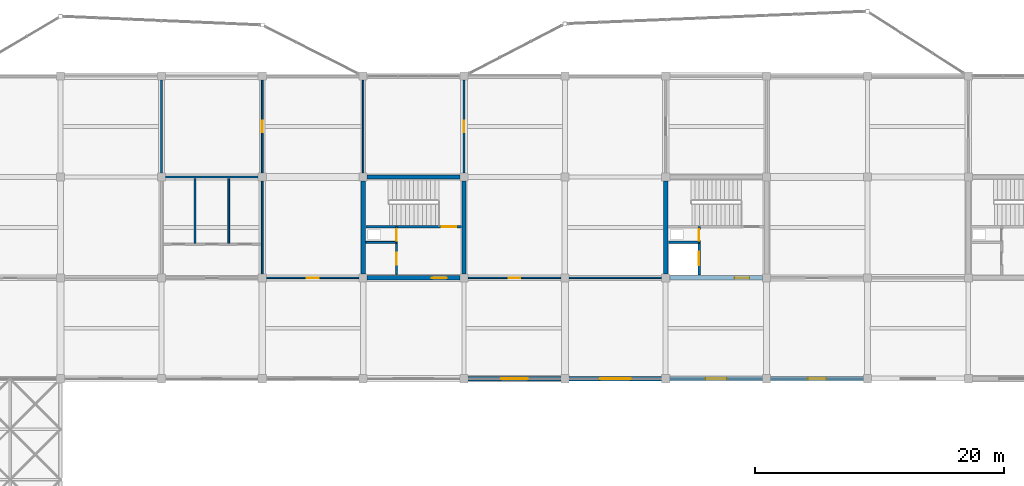
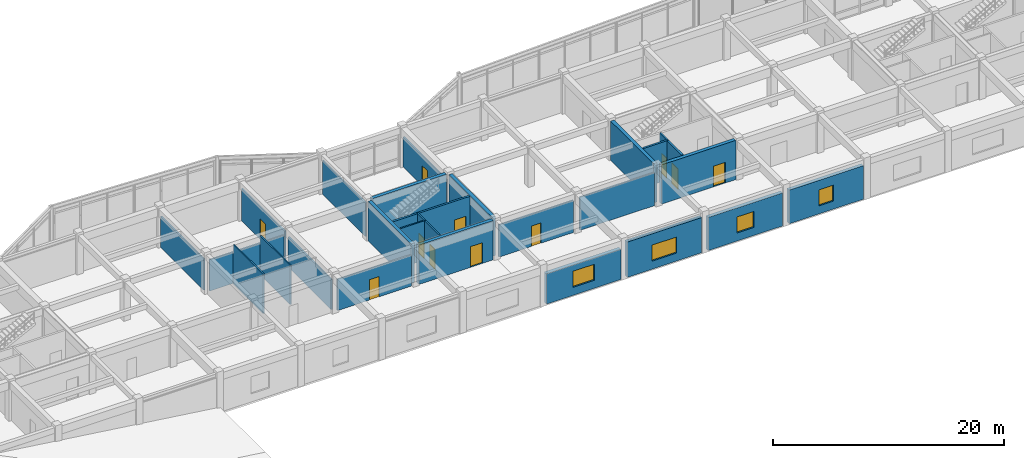
# One storey, part 48 of 70: 28 walls, 11 doors, 4 windows, 15 openings.
"""IFC4 building model written with IfcOpenShell, lengths in metres."""

import ifcopenshell
import ifcopenshell.guid

model = None  # the IFC model being written
_history = None  # IfcOwnerHistory: only IFC2X3 demands one
_inside = {}  # id of a spatial element -> (the spatial element, [elements in it])
_under = {}  # id of a project, library or spatial element -> (it, [spatial elements below it])
_declared = {}  # id of a project -> (the project, [libraries it declares])
_typed = {}  # id of a type object -> (the type object, [elements of that type])
_made_of = {}  # id of a material, layer set ... -> (it, [elements and type objects made of it])


def new_model(schema):
    """Start an empty IFC model of exactly this schema.

    Asked for "IFC4X3", IfcOpenShell would pick the latest addendum, in which some entities
    have other attributes; the version numbers below select the first issue.
    IFC2X3 requires an IfcOwnerHistory on every rooted entity: one is made here for all.
    """
    global model, _history
    if schema == "IFC4X3":
        model = ifcopenshell.file(schema_version=(4, 3, 0, 0))
    else:
        model = ifcopenshell.file(schema=schema)
    _inside.clear()
    _under.clear()
    _declared.clear()
    _typed.clear()
    _made_of.clear()
    _history = None
    if model.schema == "IFC2X3":
        org = make("IfcOrganization", Name="unknown")
        user = make(
            "IfcPersonAndOrganization",
            ThePerson=make("IfcPerson", FamilyName="unknown"),
            TheOrganization=org,
        )
        app = make(
            "IfcApplication",
            ApplicationDeveloper=org,
            Version="unknown",
            ApplicationFullName="unknown",
            ApplicationIdentifier="unknown",
        )
        _history = make(
            "IfcOwnerHistory",
            OwningUser=user,
            OwningApplication=app,
            ChangeAction="ADDED",
            CreationDate=0,
        )
    return model


def make(cls, **values):
    """One entity of the class cls with the attributes given. An attribute that is None is left unset."""
    return model.create_entity(
        cls, **{name: value for name, value in values.items() if value is not None}
    )


def rooted(cls, **values):
    """An entity with a GlobalId (a new one), such as an element, a storey or a relation."""
    return make(cls, GlobalId=ifcopenshell.guid.new(), OwnerHistory=_history, **values)


def si_unit(unit_type, name, prefix=None):
    """IfcSIUnit, for example si_unit("LENGTHUNIT", "METRE", prefix="MILLI")."""
    return make("IfcSIUnit", UnitType=unit_type, Prefix=prefix, Name=name)


def assignment(units):
    """IfcUnitAssignment: the units of a project."""
    return None if units is None else make("IfcUnitAssignment", Units=units)


def point(xyz):
    """IfcCartesianPoint."""
    return None if xyz is None else make("IfcCartesianPoint", Coordinates=xyz)


def direction(xyz):
    """IfcDirection."""
    return None if xyz is None else make("IfcDirection", DirectionRatios=xyz)


def frame(location, z_axis=None, x_axis=None):
    """IfcAxis2Placement3D, a coordinate frame: its origin and axes. An axis left out is left unset."""
    return make(
        "IfcAxis2Placement3D",
        Location=point(location),
        Axis=direction(z_axis),
        RefDirection=direction(x_axis),
    )


def frame_2d(location, x_axis=None):
    """IfcAxis2Placement2D, a coordinate frame in the plane: its origin and x axis."""
    return make(
        "IfcAxis2Placement2D", Location=point(location), RefDirection=direction(x_axis)
    )


def origin():
    """The frame at (0, 0, 0) with its axes left unset."""
    return frame((0.0, 0.0, 0.0))


def place(relative_to, where):
    """IfcLocalPlacement: puts the frame where relative to a parent placement (None: the world)."""
    return make(
        "IfcLocalPlacement", PlacementRelTo=relative_to, RelativePlacement=where
    )


def context(
    kind, dimensions, precision=None, world=None, true_north=None, identifier=None
):
    """IfcGeometricRepresentationContext, for example the 3D "Model" context."""
    return make(
        "IfcGeometricRepresentationContext",
        ContextIdentifier=identifier,
        ContextType=kind,
        CoordinateSpaceDimension=dimensions,
        Precision=precision,
        WorldCoordinateSystem=world,
        TrueNorth=true_north,
    )


def subcontext(parent, identifier, kind, view, scale=None):
    """IfcGeometricRepresentationSubContext, for example "Body" below "Model"."""
    return make(
        "IfcGeometricRepresentationSubContext",
        ContextIdentifier=identifier,
        ContextType=kind,
        ParentContext=parent,
        TargetScale=scale,
        TargetView=view,
    )


def project(units=None, contexts=None):
    """IfcProject with its units and contexts."""
    return rooted(
        "IfcProject",
        Name="project",
        RepresentationContexts=contexts,
        UnitsInContext=assignment(units),
    )


def spatial(cls, under=None, at=None, **own):
    """A site, building, storey or space (cls), placed at a placement, below another one or the project."""
    s = rooted(cls, ObjectPlacement=at, **own)
    if under is not None:
        _under.setdefault(under.id(), (under, []))[1].append(s)
    return s


def profile(cls, at=None, kind="AREA", **sizes):
    """A parametric profile (cls). Its sizes go by their IFC names, for example OverallWidth=200.0."""
    return make(cls, ProfileType=kind, Position=at, **sizes)


def rectangle(**sizes):
    """IfcRectangleProfileDef."""
    return profile("IfcRectangleProfileDef", **sizes)


def extrude(swept, where, along, depth):
    """IfcExtrudedAreaSolid: the profile swept, set in the frame where, extruded along a direction by depth."""
    return make(
        "IfcExtrudedAreaSolid",
        SweptArea=swept,
        Position=where,
        ExtrudedDirection=direction(along),
        Depth=depth,
    )


def shape(context_of_items, identifier, shape_type, items):
    """IfcShapeRepresentation: the items that make up one representation, for example the "Body"."""
    return make(
        "IfcShapeRepresentation",
        ContextOfItems=context_of_items,
        RepresentationIdentifier=identifier,
        RepresentationType=shape_type,
        Items=items,
    )


def material(Name=None, Category=None):
    """IfcMaterial."""
    return make("IfcMaterial", Name=Name, Category=Category)


def layer(
    of_material, thickness, ventilated=None, Name=None, Category=None, Priority=None
):
    """IfcMaterialLayer: one layer of a wall or slab, of a material (None: an air gap)."""
    return make(
        "IfcMaterialLayer",
        Material=of_material,
        LayerThickness=thickness,
        IsVentilated=ventilated,
        Name=Name,
        Category=Category,
        Priority=Priority,
    )


def layer_set(layers, Name=None):
    """IfcMaterialLayerSet."""
    return make("IfcMaterialLayerSet", MaterialLayers=layers, LayerSetName=Name)


def made_of(thing, what):
    """Note that an element or type object is made of a material, layer set ...; save() writes the relation."""
    if what is not None:
        _made_of.setdefault(what.id(), (what, []))[1].append(thing)
    return thing


def type_object(cls, material=None, **own):
    """A type object (cls), such as IfcWallType, which elements share."""
    return made_of(rooted(cls, **own), material)


def element(
    cls,
    number,
    at=None,
    inside=None,
    cuts=None,
    type_object=None,
    material=None,
    context=None,
    identifier="Body",
    shape_type=None,
    held_by="IfcProductDefinitionShape",
    body=None,
    shapes=None,
    **own,
):
    """One element of the class cls, such as IfcWall. Its Tag is "e" and its number.

    at: its placement. inside: the storey or other place that contains it. cuts: it is an
    opening in that element (IfcRelVoidsElement). A single representation is given by context,
    identifier, shape_type and body (its items); several are given by shapes. held_by: the class
    of the entity that holds the representations. save() writes the other relations.
    """
    e = rooted(cls, Tag="e%d" % number, ObjectPlacement=at, **own)
    if body is not None:
        shapes = [shape(context, identifier, shape_type, body)]
    if shapes is not None:
        e.Representation = make(held_by, Representations=shapes)
    if inside is not None:
        _inside.setdefault(inside.id(), (inside, []))[1].append(e)
    if cuts is not None:
        rooted(
            "IfcRelVoidsElement", RelatingBuildingElement=cuts, RelatedOpeningElement=e
        )
    if type_object is not None:
        _typed.setdefault(type_object.id(), (type_object, []))[1].append(e)
    return made_of(e, material)


def fill(opening, filler):
    """IfcRelFillsElement: the door or window that sits in an opening."""
    return rooted(
        "IfcRelFillsElement",
        RelatingOpeningElement=opening,
        RelatedBuildingElement=filler,
    )


def aggregate(whole, parts):
    """IfcRelAggregates: a whole, such as a stair, and the parts it consists of."""
    return rooted("IfcRelAggregates", RelatingObject=whole, RelatedObjects=parts)


def save(model, path):
    """Write the relations noted so far, then the file.

    IfcRelAggregates (storeys below a building ...), IfcRelContainedInSpatialStructure (elements
    in a storey), IfcRelDefinesByType, IfcRelAssociatesMaterial and IfcRelDeclares: one each for
    every whole, place, type object, material and project.
    """
    for whole, parts in _under.values():
        aggregate(whole, parts)
    for where, things in _inside.values():
        rooted(
            "IfcRelContainedInSpatialStructure",
            RelatedElements=things,
            RelatingStructure=where,
        )
    for kind, things in _typed.values():
        rooted("IfcRelDefinesByType", RelatedObjects=things, RelatingType=kind)
    for what, things in _made_of.values():
        rooted("IfcRelAssociatesMaterial", RelatedObjects=things, RelatingMaterial=what)
    for by, libraries in _declared.values():
        rooted("IfcRelDeclares", RelatingContext=by, RelatedDefinitions=libraries)
    model.write(path)


model = new_model("IFC4")

# Units and contexts
model_context = context("Model", 3, precision=1e-05, world=origin(), true_north=direction((0.0, 1.0)))
body_context = subcontext(model_context, "Body", "Model", "MODEL_VIEW")
ifc_project = project(units=[si_unit("LENGTHUNIT", "METRE"), si_unit("AREAUNIT", "SQUARE_METRE"), si_unit("VOLUMEUNIT", "CUBIC_METRE"), si_unit("PLANEANGLEUNIT", "RADIAN"), si_unit("MASSUNIT", "GRAM", prefix="KILO")], contexts=[model_context])

# Site, building, storey
site_placement = place(None, origin())
site = spatial("IfcSite", under=ifc_project, at=site_placement, CompositionType="ELEMENT")
building_placement = place(site_placement, origin())
building = spatial("IfcBuilding", under=site, at=building_placement, Name="Vaudrelin Polytechnic", CompositionType="ELEMENT")
storey_placement = place(building_placement, frame((0.0, 0.0, 14.110107421875)))
storey = spatial("IfcBuildingStorey", under=building, at=storey_placement, Name="L03", CompositionType="ELEMENT", Elevation=14.110107421875)

# Wall, opening, window
ifc_material_1 = material(Name="Precast concrete 35 MPa with standing-seam zinc rainscreen", Category="concrete")
ifc_layer_1 = layer(ifc_material_1, 0.360107421875)
ifc_layer_set_1 = layer_set([ifc_layer_1], Name="Precast concrete 35 MPa with standing-seam zinc rainscreen")
wall_type_1 = type_object("IfcWallType", Name="WAL-EW-ZINC360", PredefinedType="STANDARD", material=ifc_layer_set_1)
wall_1_placement = place(storey_placement, frame((65.123046875, 97.199951171875, 0.0), z_axis=(0.0, 0.0, 1.0), x_axis=(1.0, 0.0, 0.0)))
wall_1 = element("IfcWall", 1, at=wall_1_placement, inside=storey, type_object=wall_type_1, Name="Exterior wall L03 S_V5_08", PredefinedType="STANDARD", context=body_context, shape_type="SweptSolid", body=[
    extrude(rectangle(XDim=7.453857421875, YDim=0.360107421875, at=frame_2d((3.72705078125, 0.0))), origin(), (0.0, 0.0, 1.0), 3.2119140625),
])
opening_1_placement = place(wall_1_placement, frame((2.652099609375, 0.0, 0.85009765625)))
opening_1 = element("IfcOpeningElement", 2, at=opening_1_placement, cuts=wall_1, Name="Opening W-L03-S-V5-09", PredefinedType="OPENING", context=body_context, shape_type="SweptSolid", body=[
    extrude(rectangle(XDim=2.14990234375, YDim=1.699951171875, at=frame_2d((1.074951171875, 0.85009765625))), frame((0.0, 0.18994140625, 0.0), z_axis=(0.0, -1.0, 0.0), x_axis=(1.0, 0.0, 0.0)), (0.0, 0.0, 1.0), 0.380126953125),
])
ifc_material_2 = material(Name="Thermally broken aluminium frame with triple low-e glazing", Category="aluminium")
window_type_1 = type_object("IfcWindowType", Name="WIN-WN-37", PartitioningType="SINGLE_PANEL", PredefinedType="WINDOW", material=ifc_material_2)
window_1_placement = place(opening_1_placement, origin())
window_1 = element("IfcWindow", 3, at=window_1_placement, inside=storey, type_object=window_type_1, Name="Facade window L03-S_V5_08", OverallHeight=1.699951171875, OverallWidth=2.14990234375, PartitioningType="SINGLE_PANEL", PredefinedType="WINDOW", context=body_context, shape_type="SweptSolid", body=[
    extrude(rectangle(XDim=2.14990234375, YDim=1.699951171875, at=frame_2d((1.074951171875, 0.85009765625))), frame((0.0, 0.030029296875, 0.0), z_axis=(0.0, -1.0, 0.0), x_axis=(1.0, 0.0, 0.0)), (0.0, 0.0, 1.0), 0.06005859375),
])
fill(opening_1, window_1)

wall_2_placement = place(storey_placement, frame((73.222900390625, 97.199951171875, 0.0), z_axis=(0.0, 0.0, 1.0), x_axis=(1.0, 0.0, 0.0)))
wall_2 = element("IfcWall", 4, at=wall_2_placement, inside=storey, type_object=wall_type_1, Name="Exterior wall L03 S_V5_09", PredefinedType="STANDARD", context=body_context, shape_type="SweptSolid", body=[
    extrude(rectangle(XDim=7.4541015625, YDim=0.360107421875, at=frame_2d((3.72705078125, 0.0))), origin(), (0.0, 0.0, 1.0), 3.73681640625),
])
opening_2_placement = place(wall_2_placement, frame((2.501953125, 0.0, 0.85009765625)))
opening_2 = element("IfcOpeningElement", 5, at=opening_2_placement, cuts=wall_2, Name="Opening W-L03-S-V5-10", PredefinedType="OPENING", context=body_context, shape_type="SweptSolid", body=[
    extrude(rectangle(XDim=2.449951171875, YDim=1.699951171875, at=frame_2d((1.22509765625, 0.85009765625))), frame((0.0, 0.18994140625, 0.0), z_axis=(0.0, -1.0, 0.0), x_axis=(1.0, 0.0, 0.0)), (0.0, 0.0, 1.0), 0.380126953125),
])
window_type_2 = type_object("IfcWindowType", Name="WIN-WN-38", PartitioningType="SINGLE_PANEL", PredefinedType="WINDOW", material=ifc_material_2)
window_2_placement = place(opening_2_placement, origin())
window_2 = element("IfcWindow", 6, at=window_2_placement, inside=storey, type_object=window_type_2, Name="Facade window L03-S_V5_09", OverallHeight=1.699951171875, OverallWidth=2.449951171875, PartitioningType="SINGLE_PANEL", PredefinedType="WINDOW", context=body_context, shape_type="SweptSolid", body=[
    extrude(rectangle(XDim=2.449951171875, YDim=1.699951171875, at=frame_2d((1.22509765625, 0.85009765625))), frame((0.0, 0.030029296875, 0.0), z_axis=(0.0, -1.0, 0.0), x_axis=(1.0, 0.0, 0.0)), (0.0, 0.0, 1.0), 0.06005859375),
])
fill(opening_2, window_2)

wall_3_placement = place(storey_placement, frame((81.322998046875, 97.199951171875, 0.0), z_axis=(0.0, 0.0, 1.0), x_axis=(1.0, 0.0, 0.0)))
wall_3 = element("IfcWall", 7, at=wall_3_placement, inside=storey, type_object=wall_type_1, Name="Exterior wall L03 S_V5_10", PredefinedType="STANDARD", context=body_context, shape_type="SweptSolid", body=[
    extrude(rectangle(XDim=7.4541015625, YDim=0.360107421875, at=frame_2d((3.72705078125, 0.0))), origin(), (0.0, 0.0, 1.0), 3.501953125),
])
opening_3_placement = place(wall_3_placement, frame((2.876953125, 0.0, 0.85009765625)))
opening_3 = element("IfcOpeningElement", 8, at=opening_3_placement, cuts=wall_3, Name="Opening W-L03-S-V5-11", PredefinedType="OPENING", context=body_context, shape_type="SweptSolid", body=[
    extrude(rectangle(XDim=1.699951171875, YDim=1.699951171875, at=frame_2d((0.85009765625, 0.85009765625))), frame((0.0, 0.18994140625, 0.0), z_axis=(0.0, -1.0, 0.0), x_axis=(1.0, 0.0, 0.0)), (0.0, 0.0, 1.0), 0.380126953125),
])
window_type_3 = type_object("IfcWindowType", Name="WIN-WN-39", PartitioningType="SINGLE_PANEL", PredefinedType="WINDOW", material=ifc_material_2)
window_3_placement = place(opening_3_placement, origin())
window_3 = element("IfcWindow", 9, at=window_3_placement, inside=storey, type_object=window_type_3, Name="Facade window L03-S_V5_10", OverallHeight=1.699951171875, OverallWidth=1.699951171875, PartitioningType="SINGLE_PANEL", PredefinedType="WINDOW", context=body_context, shape_type="SweptSolid", body=[
    extrude(rectangle(XDim=1.699951171875, YDim=1.699951171875, at=frame_2d((0.85009765625, 0.85009765625))), frame((0.0, 0.030029296875, 0.0), z_axis=(0.0, -1.0, 0.0), x_axis=(1.0, 0.0, 0.0)), (0.0, 0.0, 1.0), 0.06005859375),
])
fill(opening_3, window_3)

wall_4_placement = place(storey_placement, frame((89.423095703125, 97.199951171875, 0.0), z_axis=(0.0, 0.0, 1.0), x_axis=(1.0, 0.0, 0.0)))
wall_4 = element("IfcWall", 10, at=wall_4_placement, inside=storey, type_object=wall_type_1, Name="Exterior wall L03 S_V5_11", PredefinedType="STANDARD", context=body_context, shape_type="SweptSolid", body=[
    extrude(rectangle(XDim=7.453857421875, YDim=0.360107421875, at=frame_2d((3.72705078125, 0.0))), origin(), (0.0, 0.0, 1.0), 3.552001953125),
])
opening_4_placement = place(wall_4_placement, frame((3.001953125, 0.0, 0.85009765625)))
opening_4 = element("IfcOpeningElement", 11, at=opening_4_placement, cuts=wall_4, Name="Opening W-L03-S-V5-12", PredefinedType="OPENING", context=body_context, shape_type="SweptSolid", body=[
    extrude(rectangle(XDim=1.449951171875, YDim=1.699951171875, at=frame_2d((0.72509765625, 0.85009765625))), frame((0.0, 0.18994140625, 0.0), z_axis=(0.0, -1.0, 0.0), x_axis=(1.0, 0.0, 0.0)), (0.0, 0.0, 1.0), 0.380126953125),
])
window_type_4 = type_object("IfcWindowType", Name="WIN-WN-40", PartitioningType="SINGLE_PANEL", PredefinedType="WINDOW", material=ifc_material_2)
window_4_placement = place(opening_4_placement, origin())
window_4 = element("IfcWindow", 12, at=window_4_placement, inside=storey, type_object=window_type_4, Name="Facade window L03-S_V5_11", OverallHeight=1.699951171875, OverallWidth=1.449951171875, PartitioningType="SINGLE_PANEL", PredefinedType="WINDOW", context=body_context, shape_type="SweptSolid", body=[
    extrude(rectangle(XDim=1.449951171875, YDim=1.699951171875, at=frame_2d((0.72509765625, 0.85009765625))), frame((0.0, 0.030029296875, 0.0), z_axis=(0.0, -1.0, 0.0), x_axis=(1.0, 0.0, 0.0)), (0.0, 0.0, 1.0), 0.06005859375),
])
fill(opening_4, window_4)

# Wall, opening, door
ifc_material_3 = material(Name="Fire-rated steel-stud gypsum compartment wall", Category="steel")
ifc_layer_2 = layer(ifc_material_3, 0.14990234375)
ifc_layer_set_2 = layer_set([ifc_layer_2], Name="Fire-rated steel-stud gypsum compartment wall")
wall_type_2 = type_object("IfcWallType", Name="WAL-PW-FIRE60", PredefinedType="PARTITIONING", material=ifc_layer_set_2)
wall_5_placement = place(storey_placement, frame((83.679931640625, 108.14990234375, 0.0), z_axis=(0.0, 0.0, 1.0), x_axis=(0.0, 1.0, 0.0)))
wall_5 = element("IfcWall", 13, at=wall_5_placement, inside=storey, type_object=wall_type_2, Name="Core C2 riser enclosure wall L03", PredefinedType="PARTITIONING", context=body_context, shape_type="SweptSolid", body=[
    extrude(rectangle(XDim=1.260009765625, YDim=0.14990234375, at=frame_2d((0.6298828125, 0.0))), origin(), (0.0, 0.0, 1.0), 4.15185546875),
])
opening_5_placement = place(wall_5_placement, frame((0.139892578125, 0.0, 0.0)))
opening_5 = element("IfcOpeningElement", 14, at=opening_5_placement, cuts=wall_5, Name="Opening D-L03-038", PredefinedType="OPENING", context=body_context, shape_type="SweptSolid", body=[
    extrude(rectangle(XDim=0.89990234375, YDim=2.14990234375, at=frame_2d((0.449951171875, 1.074951171875))), frame((0.0, 0.0849609375, 0.0), z_axis=(0.0, -1.0, 0.0), x_axis=(1.0, 0.0, 0.0)), (0.0, 0.0, 1.0), 0.169921875),
])
ifc_material_4 = material(Name="Pressed galvanised steel acoustic leaf", Category="steel")
door_type_1 = type_object("IfcDoorType", Name="DOR-ID-RSR1", OperationType="NOTDEFINED", PredefinedType="DOOR", material=ifc_material_4)
door_1_placement = place(opening_5_placement, origin())
door_1 = element("IfcDoor", 15, at=door_1_placement, inside=storey, type_object=door_type_1, Name="Core C2 riser access door L03", OperationType="SINGLE_SWING_RIGHT", OverallHeight=2.14990234375, OverallWidth=0.89990234375, PredefinedType="DOOR", context=body_context, shape_type="SweptSolid", body=[
    extrude(rectangle(XDim=0.89990234375, YDim=2.14990234375, at=frame_2d((0.449951171875, 1.074951171875))), frame((0.0, 0.02490234375, 0.0), z_axis=(0.0, -1.0, 0.0), x_axis=(1.0, 0.0, 0.0)), (0.0, 0.0, 1.0), 0.050048828125),
])
fill(opening_5, door_1)

wall_6_placement = place(storey_placement, frame((59.3798828125, 108.14990234375, 0.0), z_axis=(0.0, 0.0, 1.0), x_axis=(0.0, 1.0, 0.0)))
wall_6 = element("IfcWall", 16, at=wall_6_placement, inside=storey, type_object=wall_type_2, Name="Core C9 riser enclosure wall L03", PredefinedType="PARTITIONING", context=body_context, shape_type="SweptSolid", body=[
    extrude(rectangle(XDim=1.260009765625, YDim=0.14990234375, at=frame_2d((0.6298828125, 0.0))), origin(), (0.0, 0.0, 1.0), 4.161865234375),
])
opening_6_placement = place(wall_6_placement, frame((0.139892578125, 0.0, 0.0)))
opening_6 = element("IfcOpeningElement", 17, at=opening_6_placement, cuts=wall_6, Name="Opening D-L03-193", PredefinedType="OPENING", context=body_context, shape_type="SweptSolid", body=[
    extrude(rectangle(XDim=0.89990234375, YDim=2.14990234375, at=frame_2d((0.449951171875, 1.074951171875))), frame((0.0, 0.0849609375, 0.0), z_axis=(0.0, -1.0, 0.0), x_axis=(1.0, 0.0, 0.0)), (0.0, 0.0, 1.0), 0.169921875),
])
door_2_placement = place(opening_6_placement, origin())
door_2 = element("IfcDoor", 18, at=door_2_placement, inside=storey, type_object=door_type_1, Name="Core C9 riser access door L03", OperationType="SINGLE_SWING_RIGHT", OverallHeight=2.14990234375, OverallWidth=0.89990234375, PredefinedType="DOOR", context=body_context, shape_type="SweptSolid", body=[
    extrude(rectangle(XDim=0.89990234375, YDim=2.14990234375, at=frame_2d((0.449951171875, 1.074951171875))), frame((0.0, 0.02490234375, 0.0), z_axis=(0.0, -1.0, 0.0), x_axis=(1.0, 0.0, 0.0)), (0.0, 0.0, 1.0), 0.050048828125),
])
fill(opening_6, door_2)

# Wall
wall_7_placement = place(storey_placement, frame((56.919921875, 108.14990234375, 0.0), z_axis=(0.0, 0.0, 1.0), x_axis=(1.0, 0.0, 0.0)))
element("IfcWall", 19, at=wall_7_placement, inside=storey, type_object=wall_type_2, Name="Core C9 riser south fire wall L03", PredefinedType="PARTITIONING", context=body_context, shape_type="SweptSolid", body=[
    extrude(rectangle(XDim=2.530029296875, YDim=0.14990234375, at=frame_2d((1.26513671875, 0.0))), origin(), (0.0, 0.0, 1.0), 4.161865234375),
])

# Wall, opening, door
wall_8_placement = place(storey_placement, frame((59.3798828125, 105.550048828125, 0.0), z_axis=(0.0, 0.0, 1.0), x_axis=(0.0, 1.0, 0.0)))
wall_8 = element("IfcWall", 20, at=wall_8_placement, inside=storey, type_object=wall_type_2, Name="Core C9 custodial enclosure wall L03", PredefinedType="PARTITIONING", context=body_context, shape_type="SweptSolid", body=[
    extrude(rectangle(XDim=2.599853515625, YDim=0.14990234375, at=frame_2d((1.2998046875, 0.0))), origin(), (0.0, 0.0, 1.0), 4.161865234375),
])
opening_7_placement = place(wall_8_placement, frame((0.800048828125, 0.0, 0.0)))
opening_7 = element("IfcOpeningElement", 21, at=opening_7_placement, cuts=wall_8, Name="Opening D-L03-194", PredefinedType="OPENING", context=body_context, shape_type="SweptSolid", body=[
    extrude(rectangle(XDim=0.949951171875, YDim=2.14990234375, at=frame_2d((0.47509765625, 1.074951171875))), frame((0.0, 0.0849609375, 0.0), z_axis=(0.0, -1.0, 0.0), x_axis=(1.0, 0.0, 0.0)), (0.0, 0.0, 1.0), 0.169921875),
])
door_type_2 = type_object("IfcDoorType", Name="DOR-ID-STR1", OperationType="NOTDEFINED", PredefinedType="DOOR", material=ifc_material_4)
door_3_placement = place(opening_7_placement, origin())
door_3 = element("IfcDoor", 22, at=door_3_placement, inside=storey, type_object=door_type_2, Name="Core C9 custodial door L03", OperationType="SINGLE_SWING_RIGHT", OverallHeight=2.14990234375, OverallWidth=0.949951171875, PredefinedType="DOOR", context=body_context, shape_type="SweptSolid", body=[
    extrude(rectangle(XDim=0.949951171875, YDim=2.14990234375, at=frame_2d((0.47509765625, 1.074951171875))), frame((0.0, 0.02490234375, 0.0), z_axis=(0.0, -1.0, 0.0), x_axis=(1.0, 0.0, 0.0)), (0.0, 0.0, 1.0), 0.050048828125),
])
fill(opening_7, door_3)

# Wall
ifc_material_5 = material(Name="Acoustic steel-stud office & study room partition", Category="steel")
ifc_layer_3 = layer(ifc_material_5, 0.135009765625)
ifc_layer_set_3 = layer_set([ifc_layer_3], Name="Acoustic steel-stud office & study room partition")
wall_type_3 = type_object("IfcWallType", Name="WAL-PW-OFF135", PredefinedType="PARTITIONING", material=ifc_layer_set_3)
wall_9_placement = place(storey_placement, frame((40.5, 113.722900390625, 0.0), z_axis=(0.0, 0.0, 1.0), x_axis=(0.0, 1.0, 0.0)))
element("IfcWall", 23, at=wall_9_placement, inside=storey, type_object=wall_type_3, Name="Partition L03-002 E", PredefinedType="PARTITIONING", context=body_context, shape_type="SweptSolid", body=[
    extrude(rectangle(XDim=7.4541015625, YDim=0.135009765625, at=frame_2d((3.72705078125, 0.0))), origin(), (0.0, 0.0, 1.0), 3.31201171875),
])

# Wall, opening, door
wall_10_placement = place(storey_placement, frame((48.923095703125, 105.300048828125, 0.0), z_axis=(0.0, 0.0, 1.0), x_axis=(1.0, 0.0, 0.0)))
wall_10 = element("IfcWall", 24, at=wall_10_placement, inside=storey, type_object=wall_type_3, Name="Partition L03-003 S", PredefinedType="PARTITIONING", context=body_context, shape_type="SweptSolid", body=[
    extrude(rectangle(XDim=7.453857421875, YDim=0.135009765625, at=frame_2d((3.72705078125, 0.0))), origin(), (0.0, 0.0, 1.0), 3.31201171875),
])
opening_8_placement = place(wall_10_placement, frame((3.251953125, 0.0, 0.0)))
opening_8 = element("IfcOpeningElement", 25, at=opening_8_placement, cuts=wall_10, Name="Opening D-L03-497", PredefinedType="OPENING", context=body_context, shape_type="SweptSolid", body=[
    extrude(rectangle(XDim=0.949951171875, YDim=2.14990234375, at=frame_2d((0.47509765625, 1.074951171875))), frame((0.0, 0.07763671875, 0.0), z_axis=(0.0, -1.0, 0.0), x_axis=(1.0, 0.0, 0.0)), (0.0, 0.0, 1.0), 0.155029296875),
])
ifc_material_6 = material(Name="Solid-core birch veneer acoustic leaf", Category="wood")
door_type_3 = type_object("IfcDoorType", Name="DOR-ID-OFF1", OperationType="NOTDEFINED", PredefinedType="DOOR", material=ifc_material_6)
door_4_placement = place(opening_8_placement, origin())
door_4 = element("IfcDoor", 26, at=door_4_placement, inside=storey, type_object=door_type_3, Name="Engineering Standards Reading Alcove door L03-003", OperationType="SINGLE_SWING_LEFT", OverallHeight=2.14990234375, OverallWidth=0.949951171875, PredefinedType="DOOR", context=body_context, shape_type="SweptSolid", body=[
    extrude(rectangle(XDim=0.949951171875, YDim=2.14990234375, at=frame_2d((0.47509765625, 1.074951171875))), frame((0.0, 0.02490234375, 0.0), z_axis=(0.0, -1.0, 0.0), x_axis=(1.0, 0.0, 0.0)), (0.0, 0.0, 1.0), 0.050048828125),
])
fill(opening_8, door_4)

# Wall
wall_11_placement = place(storey_placement, frame((56.699951171875, 113.722900390625, 0.0), z_axis=(0.0, 0.0, 1.0), x_axis=(0.0, 1.0, 0.0)))
element("IfcWall", 27, at=wall_11_placement, inside=storey, type_object=wall_type_3, Name="Partition L03-003 E", PredefinedType="PARTITIONING", context=body_context, shape_type="SweptSolid", body=[
    extrude(rectangle(XDim=7.4541015625, YDim=0.135009765625, at=frame_2d((3.72705078125, 0.0))), origin(), (0.0, 0.0, 1.0), 3.56201171875),
])

# Wall, opening, door
wall_12_placement = place(storey_placement, frame((48.60009765625, 113.722900390625, 0.0), z_axis=(0.0, 0.0, 1.0), x_axis=(0.0, 1.0, 0.0)))
wall_12 = element("IfcWall", 28, at=wall_12_placement, inside=storey, type_object=wall_type_3, Name="Partition L03-003 W", PredefinedType="PARTITIONING", context=body_context, shape_type="SweptSolid", body=[
    extrude(rectangle(XDim=7.4541015625, YDim=0.135009765625, at=frame_2d((3.72705078125, 0.0))), origin(), (0.0, 0.0, 1.0), 3.411865234375),
])
opening_9_placement = place(wall_12_placement, frame((3.251953125, 0.0, 0.0)))
opening_9 = element("IfcOpeningElement", 29, at=opening_9_placement, cuts=wall_12, Name="Opening D-L03-512", PredefinedType="OPENING", context=body_context, shape_type="SweptSolid", body=[
    extrude(rectangle(XDim=0.949951171875, YDim=2.14990234375, at=frame_2d((0.47509765625, 1.074951171875))), frame((0.0, 0.07763671875, 0.0), z_axis=(0.0, -1.0, 0.0), x_axis=(1.0, 0.0, 0.0)), (0.0, 0.0, 1.0), 0.155029296875),
])
door_5_placement = place(opening_9_placement, origin())
door_5 = element("IfcDoor", 30, at=door_5_placement, inside=storey, type_object=door_type_3, Name="Standards Reference Study Room door L03-020", OperationType="SINGLE_SWING_RIGHT", OverallHeight=2.14990234375, OverallWidth=0.949951171875, PredefinedType="DOOR", context=body_context, shape_type="SweptSolid", body=[
    extrude(rectangle(XDim=0.949951171875, YDim=2.14990234375, at=frame_2d((0.47509765625, 1.074951171875))), frame((0.0, 0.02490234375, 0.0), z_axis=(0.0, -1.0, 0.0), x_axis=(1.0, 0.0, 0.0)), (0.0, 0.0, 1.0), 0.050048828125),
])
fill(opening_9, door_5)

wall_13_placement = place(storey_placement, frame((65.123046875, 105.300048828125, 0.0), z_axis=(0.0, 0.0, 1.0), x_axis=(1.0, 0.0, 0.0)))
wall_13 = element("IfcWall", 31, at=wall_13_placement, inside=storey, type_object=wall_type_3, Name="Partition L03-004 S", PredefinedType="PARTITIONING", context=body_context, shape_type="SweptSolid", body=[
    extrude(rectangle(XDim=7.453857421875, YDim=0.135009765625, at=frame_2d((3.72705078125, 0.0))), origin(), (0.0, 0.0, 1.0), 3.411865234375),
])
opening_10_placement = place(wall_13_placement, frame((3.251953125, 0.0, 0.0)))
opening_10 = element("IfcOpeningElement", 32, at=opening_10_placement, cuts=wall_13, Name="Opening D-L03-498", PredefinedType="OPENING", context=body_context, shape_type="SweptSolid", body=[
    extrude(rectangle(XDim=0.949951171875, YDim=2.14990234375, at=frame_2d((0.47509765625, 1.074951171875))), frame((0.0, 0.07763671875, 0.0), z_axis=(0.0, -1.0, 0.0), x_axis=(1.0, 0.0, 0.0)), (0.0, 0.0, 1.0), 0.155029296875),
])
door_6_placement = place(opening_10_placement, origin())
door_6 = element("IfcDoor", 33, at=door_6_placement, inside=storey, type_object=door_type_3, Name="Collaborative Learning Commons door L03-004", OperationType="SINGLE_SWING_RIGHT", OverallHeight=2.14990234375, OverallWidth=0.949951171875, PredefinedType="DOOR", context=body_context, shape_type="SweptSolid", body=[
    extrude(rectangle(XDim=0.949951171875, YDim=2.14990234375, at=frame_2d((0.47509765625, 1.074951171875))), frame((0.0, 0.02490234375, 0.0), z_axis=(0.0, -1.0, 0.0), x_axis=(1.0, 0.0, 0.0)), (0.0, 0.0, 1.0), 0.050048828125),
])
fill(opening_10, door_6)

# Wall
wall_14_placement = place(storey_placement, frame((73.222900390625, 105.300048828125, 0.0), z_axis=(0.0, 0.0, 1.0), x_axis=(1.0, 0.0, 0.0)))
element("IfcWall", 34, at=wall_14_placement, inside=storey, type_object=wall_type_3, Name="Partition L03-004 S", PredefinedType="PARTITIONING", context=body_context, shape_type="SweptSolid", body=[
    extrude(rectangle(XDim=7.4541015625, YDim=0.135009765625, at=frame_2d((3.72705078125, 0.0))), origin(), (0.0, 0.0, 1.0), 3.501953125),
])

# Wall, opening, door
wall_15_placement = place(storey_placement, frame((64.800048828125, 113.722900390625, 0.0), z_axis=(0.0, 0.0, 1.0), x_axis=(0.0, 1.0, 0.0)))
wall_15 = element("IfcWall", 35, at=wall_15_placement, inside=storey, type_object=wall_type_3, Name="Partition L03-004 W", PredefinedType="PARTITIONING", context=body_context, shape_type="SweptSolid", body=[
    extrude(rectangle(XDim=7.4541015625, YDim=0.135009765625, at=frame_2d((3.72705078125, 0.0))), origin(), (0.0, 0.0, 1.0), 3.2119140625),
])
opening_11_placement = place(wall_15_placement, frame((3.251953125, 0.0, 0.0)))
opening_11 = element("IfcOpeningElement", 36, at=opening_11_placement, cuts=wall_15, Name="Opening D-L03-513", PredefinedType="OPENING", context=body_context, shape_type="SweptSolid", body=[
    extrude(rectangle(XDim=0.949951171875, YDim=2.14990234375, at=frame_2d((0.47509765625, 1.074951171875))), frame((0.0, 0.07763671875, 0.0), z_axis=(0.0, -1.0, 0.0), x_axis=(1.0, 0.0, 0.0)), (0.0, 0.0, 1.0), 0.155029296875),
])
door_7_placement = place(opening_11_placement, origin())
door_7 = element("IfcDoor", 37, at=door_7_placement, inside=storey, type_object=door_type_3, Name="Collaborative Media Booth Room door L03-021", OperationType="SINGLE_SWING_LEFT", OverallHeight=2.14990234375, OverallWidth=0.949951171875, PredefinedType="DOOR", context=body_context, shape_type="SweptSolid", body=[
    extrude(rectangle(XDim=0.949951171875, YDim=2.14990234375, at=frame_2d((0.47509765625, 1.074951171875))), frame((0.0, 0.02490234375, 0.0), z_axis=(0.0, -1.0, 0.0), x_axis=(1.0, 0.0, 0.0)), (0.0, 0.0, 1.0), 0.050048828125),
])
fill(opening_11, door_7)

# Walls
ifc_material_7 = material(Name="Cement-board tiled wet-wall washroom partition", Category="gypsum")
ifc_layer_4 = layer(ifc_material_7, 0.139892578125)
ifc_layer_set_4 = layer_set([ifc_layer_4], Name="Cement-board tiled wet-wall washroom partition")
wall_type_4 = type_object("IfcWallType", Name="WAL-PW-WC140", PredefinedType="PARTITIONING", material=ifc_layer_set_4)
wall_16_placement = place(storey_placement, frame((40.822998046875, 113.39990234375, 0.0), z_axis=(0.0, 0.0, 1.0), x_axis=(1.0, 0.0, 0.0)))
element("IfcWall", 38, at=wall_16_placement, inside=storey, type_object=wall_type_4, Name="Washroom enclosure wall L03-5-13-N", PredefinedType="PARTITIONING", context=body_context, shape_type="SweptSolid", body=[
    extrude(rectangle(XDim=7.4541015625, YDim=0.139892578125, at=frame_2d((3.72705078125, 0.0))), origin(), (0.0, 0.0, 1.0), 3.309814453125),
])
wall_17_placement = place(storey_placement, frame((48.60009765625, 105.623046875, 0.0), z_axis=(0.0, 0.0, 1.0), x_axis=(0.0, 1.0, 0.0)))
element("IfcWall", 39, at=wall_17_placement, inside=storey, type_object=wall_type_4, Name="Washroom enclosure wall L03-5-13-E", PredefinedType="PARTITIONING", context=body_context, shape_type="SweptSolid", body=[
    extrude(rectangle(XDim=7.453857421875, YDim=0.139892578125, at=frame_2d((3.72705078125, 0.0))), origin(), (0.0, 0.0, 1.0), 3.2099609375),
])
for number, where, z_axis, x_axis, name in (
    (40, (43.199951171875, 108.070068359375, 0.0), (0.0, 0.0, 1.0), (0.0, 1.0, 0.0), "Washroom separation wall L03-5-13-1"),
    (41, (45.89990234375, 108.070068359375, 0.0), (0.0, 0.0, 1.0), (0.0, 1.0, 0.0), "Washroom separation wall L03-5-13-2"),
):
    element("IfcWall", number, at=place(storey_placement, frame(where, z_axis=z_axis, x_axis=x_axis)), inside=storey, type_object=wall_type_4, Name=name, PredefinedType="PARTITIONING", context=body_context, shape_type="SweptSolid", body=[
        extrude(rectangle(XDim=5.179931640625, YDim=0.139892578125, at=frame_2d((2.58984375, 0.0))), origin(), (0.0, 0.0, 1.0), 4.161865234375),
    ])

# Wall, opening, door
ifc_material_8 = material(Name="Concrete 40 MPa", Category="concrete")
ifc_layer_5 = layer(ifc_material_8, 0.199951171875)
ifc_layer_set_5 = layer_set([ifc_layer_5], Name="Concrete 40 MPa")
wall_type_5 = type_object("IfcWallType", Name="WAL-SW-CORE200", PredefinedType="SHEAR", material=ifc_layer_set_5)
wall_18_placement = place(storey_placement, frame((83.679931640625, 105.550048828125, 0.0), z_axis=(0.0, 0.0, 1.0), x_axis=(0.0, 1.0, 0.0)))
wall_18 = element("IfcWall", 42, at=wall_18_placement, inside=storey, type_object=wall_type_5, Name="Lift LF-02 shaft front wall L03", PredefinedType="SHEAR", context=body_context, shape_type="SweptSolid", body=[
    extrude(rectangle(XDim=2.599853515625, YDim=0.199951171875, at=frame_2d((1.2998046875, 0.0))), origin(), (0.0, 0.0, 1.0), 4.15185546875),
])
opening_12_placement = place(wall_18_placement, frame((0.75, 0.0, 0.0)))
opening_12 = element("IfcOpeningElement", 43, at=opening_12_placement, cuts=wall_18, Name="Opening LD-LF-02-L03", PredefinedType="OPENING", context=body_context, shape_type="SweptSolid", body=[
    extrude(rectangle(XDim=1.10009765625, YDim=2.199951171875, at=frame_2d((0.550048828125, 1.10009765625))), frame((0.0, 0.10986328125, 0.0), z_axis=(0.0, -1.0, 0.0), x_axis=(1.0, 0.0, 0.0)), (0.0, 0.0, 1.0), 0.219970703125),
])
ifc_material_9 = material(Name="Brushed stainless steel AISI 304", Category="steel")
door_type_4 = type_object("IfcDoorType", Name="DOR-LD-PAX", OperationType="SLIDING_TO_LEFT", PredefinedType="DOOR", material=ifc_material_9)
door_8_placement = place(opening_12_placement, origin())
door_8 = element("IfcDoor", 44, at=door_8_placement, inside=storey, type_object=door_type_4, Name="Lift LF-02 landing door L03", OperationType="SLIDING_TO_LEFT", OverallHeight=2.199951171875, OverallWidth=1.10009765625, PredefinedType="DOOR", context=body_context, shape_type="SweptSolid", body=[
    extrude(rectangle(XDim=1.10009765625, YDim=2.199951171875, at=frame_2d((0.550048828125, 1.10009765625))), frame((0.0, 0.02490234375, 0.0), z_axis=(0.0, -1.0, 0.0), x_axis=(1.0, 0.0, 0.0)), (0.0, 0.0, 1.0), 0.050048828125),
])
fill(opening_12, door_8)

# Wall
wall_19_placement = place(storey_placement, frame((81.219970703125, 108.14990234375, 0.0), z_axis=(0.0, 0.0, 1.0), x_axis=(1.0, 0.0, 0.0)))
element("IfcWall", 45, at=wall_19_placement, inside=storey, type_object=wall_type_5, Name="Lift LF-02 shaft north wall L03", PredefinedType="SHEAR", context=body_context, shape_type="SweptSolid", body=[
    extrude(rectangle(XDim=2.56005859375, YDim=0.199951171875, at=frame_2d((1.280029296875, 0.0))), origin(), (0.0, 0.0, 1.0), 4.15185546875),
])

# Wall, opening, door
wall_20_placement = place(storey_placement, frame((56.919921875, 109.409912109375, 0.0), z_axis=(0.0, 0.0, 1.0), x_axis=(1.0, 0.0, 0.0)))
wall_20 = element("IfcWall", 46, at=wall_20_placement, inside=storey, type_object=wall_type_5, Name="Core C9 stair enclosure wall L03", PredefinedType="SHEAR", context=body_context, shape_type="SweptSolid", body=[
    extrude(rectangle(XDim=7.66015625, YDim=0.199951171875, at=frame_2d((3.830078125, 0.0))), origin(), (0.0, 0.0, 1.0), 4.161865234375),
])
opening_13_placement = place(wall_20_placement, frame((6.110107421875, 0.0, 0.0)))
opening_13 = element("IfcOpeningElement", 47, at=opening_13_placement, cuts=wall_20, Name="Opening D-L03-192", PredefinedType="OPENING", context=body_context, shape_type="SweptSolid", body=[
    extrude(rectangle(XDim=1.14990234375, YDim=2.199951171875, at=frame_2d((0.574951171875, 1.10009765625))), frame((0.0, 0.10986328125, 0.0), z_axis=(0.0, -1.0, 0.0), x_axis=(1.0, 0.0, 0.0)), (0.0, 0.0, 1.0), 0.219970703125),
])
door_type_5 = type_object("IfcDoorType", Name="DOR-ID-ST1", OperationType="NOTDEFINED", PredefinedType="DOOR", material=ifc_material_4)
door_9_placement = place(opening_13_placement, origin())
door_9 = element("IfcDoor", 48, at=door_9_placement, inside=storey, type_object=door_type_5, Name="Core C9 exit stair door L03", OperationType="SINGLE_SWING_LEFT", OverallHeight=2.199951171875, OverallWidth=1.14990234375, PredefinedType="DOOR", context=body_context, shape_type="SweptSolid", body=[
    extrude(rectangle(XDim=1.14990234375, YDim=2.199951171875, at=frame_2d((0.574951171875, 1.10009765625))), frame((0.0, 0.02490234375, 0.0), z_axis=(0.0, -1.0, 0.0), x_axis=(1.0, 0.0, 0.0)), (0.0, 0.0, 1.0), 0.050048828125),
])
fill(opening_13, door_9)

# Wall
ifc_material_10 = material(Name="Concrete 50 MPa", Category="concrete")
ifc_layer_6 = layer(ifc_material_10, 0.35009765625)
ifc_layer_set_6 = layer_set([ifc_layer_6], Name="Concrete 50 MPa")
wall_type_6 = type_object("IfcWallType", Name="WAL-SW-CORE350", PredefinedType="SHEAR", material=ifc_layer_set_6)
wall_21_placement = place(storey_placement, frame((81.0, 105.623046875, 0.0), z_axis=(0.0, 0.0, 1.0), x_axis=(0.0, 1.0, 0.0)))
element("IfcWall", 49, at=wall_21_placement, inside=storey, type_object=wall_type_6, Name="Core C2 W shear wall L03", PredefinedType="SHEAR", context=body_context, shape_type="SweptSolid", body=[
    extrude(rectangle(XDim=7.453857421875, YDim=0.35009765625, at=frame_2d((3.72705078125, 0.0))), origin(), (0.0, 0.0, 1.0), 4.15185546875),
])

# Wall, opening, door
wall_22_placement = place(storey_placement, frame((81.322998046875, 105.300048828125, 0.0), z_axis=(0.0, 0.0, 1.0), x_axis=(1.0, 0.0, 0.0)))
wall_22 = element("IfcWall", 50, at=wall_22_placement, inside=storey, type_object=wall_type_6, Name="Core C2 S shear wall L03", PredefinedType="SHEAR", context=body_context, shape_type="SweptSolid", body=[
    extrude(rectangle(XDim=7.4541015625, YDim=0.35009765625, at=frame_2d((3.72705078125, 0.0))), origin(), (0.0, 0.0, 1.0), 4.15185546875),
])
opening_14_placement = place(wall_22_placement, frame((5.2041015625, 0.0, 0.0)))
opening_14 = element("IfcOpeningElement", 51, at=opening_14_placement, cuts=wall_22, Name="Opening D-L03-036", PredefinedType="OPENING", context=body_context, shape_type="SweptSolid", body=[
    extrude(rectangle(XDim=1.199951171875, YDim=2.199951171875, at=frame_2d((0.60009765625, 1.10009765625))), frame((0.0, 0.18505859375, 0.0), z_axis=(0.0, -1.0, 0.0), x_axis=(1.0, 0.0, 0.0)), (0.0, 0.0, 1.0), 0.3701171875),
])
door_type_6 = type_object("IfcDoorType", Name="DOR-ID-LB1", OperationType="NOTDEFINED", PredefinedType="DOOR", material=ifc_material_4)
door_10_placement = place(opening_14_placement, origin())
door_10 = element("IfcDoor", 52, at=door_10_placement, inside=storey, type_object=door_type_6, Name="Core C2 lobby fire door L03", OperationType="SINGLE_SWING_LEFT", OverallHeight=2.199951171875, OverallWidth=1.199951171875, PredefinedType="DOOR", context=body_context, shape_type="SweptSolid", body=[
    extrude(rectangle(XDim=1.199951171875, YDim=2.199951171875, at=frame_2d((0.60009765625, 1.10009765625))), frame((0.0, 0.02490234375, 0.0), z_axis=(0.0, -1.0, 0.0), x_axis=(1.0, 0.0, 0.0)), (0.0, 0.0, 1.0), 0.050048828125),
])
fill(opening_14, door_10)

# Walls
wall_23_placement = place(storey_placement, frame((57.02294921875, 113.39990234375, 0.0), z_axis=(0.0, 0.0, 1.0), x_axis=(1.0, 0.0, 0.0)))
element("IfcWall", 53, at=wall_23_placement, inside=storey, type_object=wall_type_6, Name="Core C9 N shear wall L03", PredefinedType="SHEAR", context=body_context, shape_type="SweptSolid", body=[
    extrude(rectangle(XDim=7.4541015625, YDim=0.35009765625, at=frame_2d((3.72705078125, 0.0))), origin(), (0.0, 0.0, 1.0), 4.161865234375),
])
for number, where, z_axis, x_axis, name in (
    (54, (56.699951171875, 105.623046875, 0.0), (0.0, 0.0, 1.0), (0.0, 1.0, 0.0), "Core C9 W shear wall L03"),
    (55, (64.800048828125, 105.623046875, 0.0), (0.0, 0.0, 1.0), (0.0, 1.0, 0.0), "Core C9 E shear wall L03"),
):
    element("IfcWall", number, at=place(storey_placement, frame(where, z_axis=z_axis, x_axis=x_axis)), inside=storey, type_object=wall_type_6, Name=name, PredefinedType="SHEAR", context=body_context, shape_type="SweptSolid", body=[
        extrude(rectangle(XDim=7.453857421875, YDim=0.35009765625, at=frame_2d((3.72705078125, 0.0))), origin(), (0.0, 0.0, 1.0), 4.161865234375),
    ])

# Wall, opening, door
wall_24_placement = place(storey_placement, frame((57.02294921875, 105.300048828125, 0.0), z_axis=(0.0, 0.0, 1.0), x_axis=(1.0, 0.0, 0.0)))
wall_24 = element("IfcWall", 56, at=wall_24_placement, inside=storey, type_object=wall_type_6, Name="Core C9 S shear wall L03", PredefinedType="SHEAR", context=body_context, shape_type="SweptSolid", body=[
    extrude(rectangle(XDim=7.4541015625, YDim=0.35009765625, at=frame_2d((3.72705078125, 0.0))), origin(), (0.0, 0.0, 1.0), 4.161865234375),
])
opening_15_placement = place(wall_24_placement, frame((5.2041015625, 0.0, 0.0)))
opening_15 = element("IfcOpeningElement", 57, at=opening_15_placement, cuts=wall_24, Name="Opening D-L03-191", PredefinedType="OPENING", context=body_context, shape_type="SweptSolid", body=[
    extrude(rectangle(XDim=1.199951171875, YDim=2.199951171875, at=frame_2d((0.60009765625, 1.10009765625))), frame((0.0, 0.18505859375, 0.0), z_axis=(0.0, -1.0, 0.0), x_axis=(1.0, 0.0, 0.0)), (0.0, 0.0, 1.0), 0.3701171875),
])
door_11_placement = place(opening_15_placement, origin())
door_11 = element("IfcDoor", 58, at=door_11_placement, inside=storey, type_object=door_type_6, Name="Core C9 lobby fire door L03", OperationType="SINGLE_SWING_RIGHT", OverallHeight=2.199951171875, OverallWidth=1.199951171875, PredefinedType="DOOR", context=body_context, shape_type="SweptSolid", body=[
    extrude(rectangle(XDim=1.199951171875, YDim=2.199951171875, at=frame_2d((0.60009765625, 1.10009765625))), frame((0.0, 0.02490234375, 0.0), z_axis=(0.0, -1.0, 0.0), x_axis=(1.0, 0.0, 0.0)), (0.0, 0.0, 1.0), 0.050048828125),
])
fill(opening_15, door_11)

save(model, "model.ifc")
